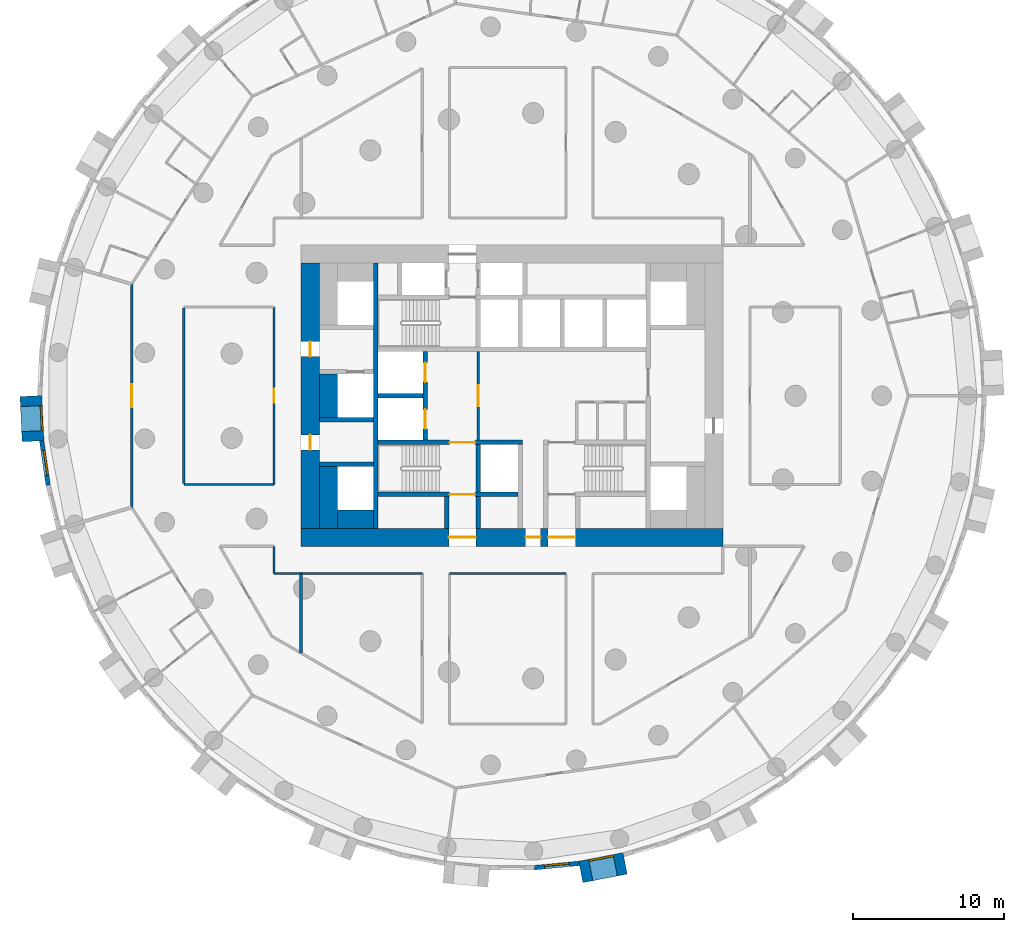
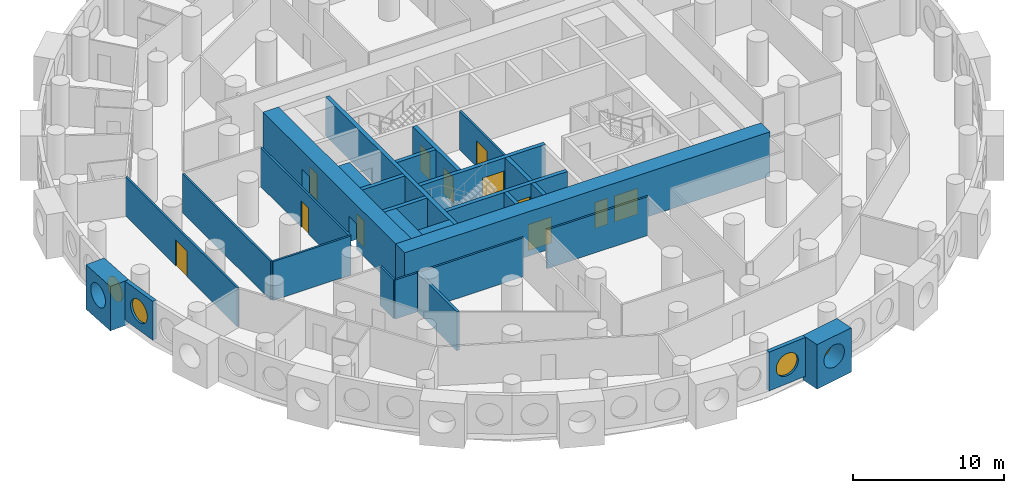
# One storey, part 4 of 12: 28 walls, 12 doors, 4 windows, 16 openings.
"""IFC4 building model written with IfcOpenShell, lengths in metres."""

from ifc_helpers import new_model, si_unit, direction, frame, frame_2d, origin, origin_2d, place, context, subcontext, project, spatial, rectangle, circle, extrude, material, layer, layer_set, type_object, element, fill, save


model = new_model("IFC4")

# Units and contexts
model_context = context("Model", 3, precision=1e-05, world=origin(), true_north=direction((0.0, 1.0)))
body_context = subcontext(model_context, "Body", "Model", "MODEL_VIEW")
ifc_project = project(units=[si_unit("LENGTHUNIT", "METRE"), si_unit("AREAUNIT", "SQUARE_METRE"), si_unit("VOLUMEUNIT", "CUBIC_METRE"), si_unit("PLANEANGLEUNIT", "RADIAN"), si_unit("MASSUNIT", "GRAM", prefix="KILO")], contexts=[model_context])

# Site, building, storey
site_placement = place(None, origin())
site = spatial("IfcSite", under=ifc_project, at=site_placement, CompositionType="ELEMENT")
building_placement = place(site_placement, origin())
building = spatial("IfcBuilding", under=site, at=building_placement, Name="Tracery Tower", CompositionType="ELEMENT")
storey_placement = place(building_placement, frame((0.0, 0.0, 85.800048828125)))
storey = spatial("IfcBuildingStorey", under=building, at=storey_placement, Name="L21", CompositionType="ELEMENT", Elevation=85.800048828125)

# Wall, opening, door
ifc_material_1 = material(Name="Plasterboard on steel studs", Category="steel")
ifc_layer_1 = layer(ifc_material_1, 0.14990234375)
ifc_layer_set_1 = layer_set([ifc_layer_1], Name="Core lobby partition 150")
wall_type_1 = type_object("IfcWallType", Name="Core lobby partition 150", PredefinedType="SOLIDWALL", material=ifc_layer_set_1)
wall_1_placement = place(storey_placement, frame((-2.25, -2.949951171875, 0.0), z_axis=(0.0, 0.0, 1.0), x_axis=(0.0, 1.0, 0.0)))
wall_1 = element("IfcWall", 1, at=wall_1_placement, inside=storey, type_object=wall_type_1, Name="L21 FF lobby E", PredefinedType="SOLIDWALL", context=body_context, shape_type="SweptSolid", body=[
    extrude(rectangle(XDim=5.89990234375, YDim=0.14990234375, at=frame_2d((2.949951171875, 0.0))), origin(), (0.0, 0.0, 1.0), 3.14990234375),
])
opening_1_placement = place(wall_1_placement, frame((2.25, 0.0, 0.0)))
opening_1 = element("IfcOpeningElement", 2, at=opening_1_placement, cuts=wall_1, Name="Opening KD8", PredefinedType="OPENING", context=body_context, shape_type="SweptSolid", body=[
    extrude(rectangle(XDim=1.39990234375, YDim=2.10009765625, at=frame_2d((0.699951171875, 1.050048828125))), frame((0.0, 0.074951171875, 0.0), z_axis=(0.0, -1.0, 0.0), x_axis=(1.0, 0.0, 0.0)), (0.0, 0.0, 1.0), 0.14990234375),
])
ifc_material_2 = material(Name="Steel fire door", Category="steel")
door_type_1 = type_object("IfcDoorType", Name="Core lobby door 1400 double", OperationType="NOTDEFINED", PredefinedType="DOOR", material=ifc_material_2)
door_1_placement = place(opening_1_placement, origin())
door_1 = element("IfcDoor", 3, at=door_1_placement, inside=storey, type_object=door_type_1, Name="Fire-fighting lobby door", OperationType="DOUBLE_DOOR_SINGLE_SWING", OverallHeight=2.10009765625, OverallWidth=1.39990234375, PredefinedType="DOOR", context=body_context, shape_type="SweptSolid", body=[
    extrude(rectangle(XDim=1.39990234375, YDim=2.10009765625, at=frame_2d((0.699951171875, 1.050048828125))), frame((0.0, 0.02490234375, 0.0), z_axis=(0.0, -1.0, 0.0), x_axis=(1.0, 0.0, 0.0)), (0.0, 0.0, 1.0), 0.050048828125),
])
fill(opening_1, door_1)

# Walls
ifc_material_3 = material(Name="Concrete C60/75", Category="concrete")
ifc_layer_2 = layer(ifc_material_3, 1.199951171875)
ifc_layer_set_2 = layer_set([ifc_layer_2], Name="Core strip wall 1200 C60")
wall_type_2 = type_object("IfcWallType", Name="Core strip wall 1200 C60", PredefinedType="SOLIDWALL", material=ifc_layer_set_2)
wall_2_placement = place(storey_placement, frame((-12.199951171875, -8.800048828125, 0.0), z_axis=(0.0, 0.0, 1.0), x_axis=(0.0, 1.0, 0.0)))
element("IfcWall", 4, at=wall_2_placement, inside=storey, type_object=wall_type_2, Name="L21 wing strip -1 -9.4", PredefinedType="SOLIDWALL", context=body_context, shape_type="SweptSolid", body=[
    extrude(rectangle(XDim=4.10009765625, YDim=1.199951171875, at=frame_2d((2.050048828125, 0.0))), origin(), (0.0, 0.0, 1.0), 3.14990234375),
])
wall_3_placement = place(storey_placement, frame((-12.199951171875, -1.449951171875, 0.0), z_axis=(0.0, 0.0, 1.0), x_axis=(0.0, 1.0, 0.0)))
element("IfcWall", 5, at=wall_3_placement, inside=storey, type_object=wall_type_2, Name="L21 wing strip -1 -1.6", PredefinedType="SOLIDWALL", context=body_context, shape_type="SweptSolid", body=[
    extrude(rectangle(XDim=2.89990234375, YDim=1.199951171875, at=frame_2d((1.449951171875, 0.0))), origin(), (0.0, 0.0, 1.0), 3.14990234375),
])
wall_4_placement = place(storey_placement, frame((-11.60009765625, -8.199951171875, 0.0), z_axis=(0.0, 0.0, 1.0), x_axis=(1.0, 0.0, 0.0)))
element("IfcWall", 6, at=wall_4_placement, inside=storey, type_object=wall_type_2, Name="L21 wing corner -1 -8.2", PredefinedType="SOLIDWALL", context=body_context, shape_type="SweptSolid", body=[
    extrude(rectangle(XDim=2.400146484375, YDim=1.199951171875, at=frame_2d((1.2001953125, 0.0))), origin(), (0.0, 0.0, 1.0), 3.14990234375),
])

# Wall, openings, doors
ifc_material_4 = material(Name="Concrete C60/75", Category="concrete")
ifc_layer_3 = layer(ifc_material_4, 1.199951171875)
ifc_layer_set_3 = layer_set([ifc_layer_3], Name="Core wall 1200 C60")
wall_type_3 = type_object("IfcWallType", Name="Core wall 1200 C60", PredefinedType="SOLIDWALL", material=ifc_layer_set_3)
wall_5_placement = place(storey_placement, frame((-14.0, -9.39990234375, 0.0), z_axis=(0.0, 0.0, 1.0), x_axis=(1.0, 0.0, 0.0)))
wall_5 = element("IfcWall", 7, at=wall_5_placement, inside=storey, type_object=wall_type_3, Name="L21 outer S", PredefinedType="SOLIDWALL", context=body_context, shape_type="SweptSolid", body=[
    extrude(rectangle(XDim=28.0, YDim=1.199951171875, at=frame_2d((14.0, 0.0))), origin(), (0.0, 0.0, 1.0), 3.599853515625),
])
opening_2_placement = place(wall_5_placement, frame((14.89990234375, 0.0, 0.0)))
opening_2 = element("IfcOpeningElement", 8, at=opening_2_placement, cuts=wall_5, Name="Opening KD16", PredefinedType="OPENING", context=body_context, shape_type="SweptSolid", body=[
    extrude(rectangle(XDim=1.0, YDim=2.10009765625, at=frame_2d((0.5, 1.050048828125))), frame((0.0, 0.60009765625, 0.0), z_axis=(0.0, -1.0, 0.0), x_axis=(1.0, 0.0, 0.0)), (0.0, 0.0, 1.0), 1.199951171875),
])
opening_3_placement = place(wall_5_placement, frame((9.800048828125, 0.0, 0.0)))
opening_3 = element("IfcOpeningElement", 9, at=opening_3_placement, cuts=wall_5, Name="Opening KD13", PredefinedType="OPENING", context=body_context, shape_type="SweptSolid", body=[
    extrude(rectangle(XDim=1.800048828125, YDim=2.10009765625, at=frame_2d((0.89990234375, 1.050048828125))), frame((0.0, 0.60009765625, 0.0), z_axis=(0.0, -1.0, 0.0), x_axis=(1.0, 0.0, 0.0)), (0.0, 0.0, 1.0), 1.199951171875),
])
opening_4_placement = place(wall_5_placement, frame((16.39990234375, 0.0, 0.0)))
opening_4 = element("IfcOpeningElement", 10, at=opening_4_placement, cuts=wall_5, Name="Opening KD13", PredefinedType="OPENING", context=body_context, shape_type="SweptSolid", body=[
    extrude(rectangle(XDim=1.800048828125, YDim=2.10009765625, at=frame_2d((0.89990234375, 1.050048828125))), frame((0.0, 0.60009765625, 0.0), z_axis=(0.0, -1.0, 0.0), x_axis=(1.0, 0.0, 0.0)), (0.0, 0.0, 1.0), 1.199951171875),
])
ifc_material_5 = material(Name="Steel fire door", Category="steel")
door_type_2 = type_object("IfcDoorType", Name="Core exit door 1000", OperationType="NOTDEFINED", PredefinedType="DOOR", material=ifc_material_5)
door_2_placement = place(opening_2_placement, origin())
door_2 = element("IfcDoor", 11, at=door_2_placement, inside=storey, type_object=door_type_2, Name="Core exit door", OperationType="SINGLE_SWING_LEFT", OverallHeight=2.10009765625, OverallWidth=1.0, PredefinedType="DOOR", context=body_context, shape_type="SweptSolid", body=[
    extrude(rectangle(XDim=1.0, YDim=2.10009765625, at=frame_2d((0.5, 1.050048828125))), frame((0.0, 0.02490234375, 0.0), z_axis=(0.0, -1.0, 0.0), x_axis=(1.0, 0.0, 0.0)), (0.0, 0.0, 1.0), 0.050048828125),
])
fill(opening_2, door_2)
ifc_material_6 = material(Name="Steel fire door", Category="steel")
door_type_3 = type_object("IfcDoorType", Name="Core exit door 1800 double", OperationType="NOTDEFINED", PredefinedType="DOOR", material=ifc_material_6)
door_3_placement = place(opening_3_placement, origin())
door_3 = element("IfcDoor", 12, at=door_3_placement, inside=storey, type_object=door_type_3, Name="Core exit door", OperationType="DOUBLE_DOOR_SINGLE_SWING", OverallHeight=2.10009765625, OverallWidth=1.800048828125, PredefinedType="DOOR", context=body_context, shape_type="SweptSolid", body=[
    extrude(rectangle(XDim=1.800048828125, YDim=2.10009765625, at=frame_2d((0.89990234375, 1.050048828125))), frame((0.0, 0.02490234375, 0.0), z_axis=(0.0, -1.0, 0.0), x_axis=(1.0, 0.0, 0.0)), (0.0, 0.0, 1.0), 0.050048828125),
])
fill(opening_3, door_3)
door_4_placement = place(opening_4_placement, origin())
door_4 = element("IfcDoor", 13, at=door_4_placement, inside=storey, type_object=door_type_3, Name="Core exit door", OperationType="DOUBLE_DOOR_SINGLE_SWING", OverallHeight=2.10009765625, OverallWidth=1.800048828125, PredefinedType="DOOR", context=body_context, shape_type="SweptSolid", body=[
    extrude(rectangle(XDim=1.800048828125, YDim=2.10009765625, at=frame_2d((0.89990234375, 1.050048828125))), frame((0.0, 0.02490234375, 0.0), z_axis=(0.0, -1.0, 0.0), x_axis=(1.0, 0.0, 0.0)), (0.0, 0.0, 1.0), 0.050048828125),
])
fill(opening_4, door_4)

wall_6_placement = place(storey_placement, frame((-13.39990234375, -8.800048828125, 0.0), z_axis=(0.0, 0.0, 1.0), x_axis=(0.0, 1.0, 0.0)))
wall_6 = element("IfcWall", 14, at=wall_6_placement, inside=storey, type_object=wall_type_3, Name="L21 outer W", PredefinedType="SOLIDWALL", context=body_context, shape_type="SweptSolid", body=[
    extrude(rectangle(XDim=17.60009765625, YDim=1.199951171875, at=frame_2d((8.800048828125, 0.0))), origin(), (0.0, 0.0, 1.0), 3.599853515625),
])
opening_5_placement = place(wall_6_placement, frame((5.199951171875, 0.0, 0.0)))
opening_5 = element("IfcOpeningElement", 15, at=opening_5_placement, cuts=wall_6, Name="Opening KD18", PredefinedType="OPENING", context=body_context, shape_type="SweptSolid", body=[
    extrude(rectangle(XDim=1.0, YDim=2.10009765625, at=frame_2d((0.5, 1.050048828125))), frame((0.0, 0.60009765625, 0.0), z_axis=(0.0, -1.0, 0.0), x_axis=(1.0, 0.0, 0.0)), (0.0, 0.0, 1.0), 1.199951171875),
])
opening_6_placement = place(wall_6_placement, frame((11.39990234375, 0.0, 0.0)))
opening_6 = element("IfcOpeningElement", 16, at=opening_6_placement, cuts=wall_6, Name="Opening KD18", PredefinedType="OPENING", context=body_context, shape_type="SweptSolid", body=[
    extrude(rectangle(XDim=1.0, YDim=2.10009765625, at=frame_2d((0.5, 1.050048828125))), frame((0.0, 0.60009765625, 0.0), z_axis=(0.0, -1.0, 0.0), x_axis=(1.0, 0.0, 0.0)), (0.0, 0.0, 1.0), 1.199951171875),
])
door_5_placement = place(opening_5_placement, origin())
door_5 = element("IfcDoor", 17, at=door_5_placement, inside=storey, type_object=door_type_2, Name="Core exit door", OperationType="DOUBLE_DOOR_SINGLE_SWING", OverallHeight=2.10009765625, OverallWidth=1.0, PredefinedType="DOOR", context=body_context, shape_type="SweptSolid", body=[
    extrude(rectangle(XDim=1.0, YDim=2.10009765625, at=frame_2d((0.5, 1.050048828125))), frame((0.0, 0.02490234375, 0.0), z_axis=(0.0, -1.0, 0.0), x_axis=(1.0, 0.0, 0.0)), (0.0, 0.0, 1.0), 0.050048828125),
])
fill(opening_5, door_5)
door_6_placement = place(opening_6_placement, origin())
door_6 = element("IfcDoor", 18, at=door_6_placement, inside=storey, type_object=door_type_2, Name="Core exit door", OperationType="DOUBLE_DOOR_SINGLE_SWING", OverallHeight=2.10009765625, OverallWidth=1.0, PredefinedType="DOOR", context=body_context, shape_type="SweptSolid", body=[
    extrude(rectangle(XDim=1.0, YDim=2.10009765625, at=frame_2d((0.5, 1.050048828125))), frame((0.0, 0.02490234375, 0.0), z_axis=(0.0, -1.0, 0.0), x_axis=(1.0, 0.0, 0.0)), (0.0, 0.0, 1.0), 0.050048828125),
])
fill(opening_6, door_6)

# Wall, opening, window
ifc_material_7 = material(Name="Precast concrete C50/60", Category="concrete")
ifc_layer_4 = layer(ifc_material_7, 1.449951171875)
ifc_layer_set_4 = layer_set([ifc_layer_4], Name="Deep-set bay unit 3000 x 3600, slab edge 450")
wall_type_4 = type_object("IfcWallType", Name="Deep-set bay unit 3000 x 3600, slab edge 450", PredefinedType="ELEMENTEDWALL", material=ifc_layer_set_4)
wall_7_placement = place(storey_placement, frame((-31.94921875, -0.020263671875, -0.449951171875), z_axis=(0.0, 0.0, 1.0), x_axis=(0.047607680889, -0.998866111509, 0.0)))
wall_7 = element("IfcWall", 19, at=wall_7_placement, inside=storey, type_object=wall_type_4, Name="Deep-set bay unit 34 at L21", PredefinedType="ELEMENTEDWALL", context=body_context, shape_type="SweptSolid", body=[
    extrude(rectangle(XDim=3.0, YDim=1.449951171875, at=frame_2d((1.5, 0.0))), origin(), (0.0, 0.0, 1.0), 3.599853515625),
])
opening_7_placement = place(wall_7_placement, frame((1.5, 0.0, 2.0)))
opening_7 = element("IfcOpeningElement", 20, at=opening_7_placement, cuts=wall_7, Name="Opening WN1", PredefinedType="OPENING", context=body_context, shape_type="SweptSolid", body=[
    extrude(circle(Radius=0.9000244140625, at=origin_2d()), frame((0.0, 0.73486328125, 0.0), z_axis=(0.0, -1.0, 0.0), x_axis=(1.0, 0.0, 0.0)), (0.0, 0.0, 1.0), 1.469970703125),
])
ifc_material_8 = material(Name="Aluminium frame with tinted double glazing", Category="aluminium")
window_type = type_object("IfcWindowType", Name="Round window 1800", PartitioningType="SINGLE_PANEL", PredefinedType="WINDOW", material=ifc_material_8)
window_1_placement = place(opening_7_placement, origin())
window_1 = element("IfcWindow", 21, at=window_1_placement, inside=storey, type_object=window_type, Name="Round window 34 at L21", OverallHeight=1.800048828125, OverallWidth=1.800048828125, PartitioningType="SINGLE_PANEL", PredefinedType="WINDOW", context=body_context, shape_type="SweptSolid", body=[
    extrude(circle(Radius=0.9000244140625, at=origin_2d()), frame((0.0, 0.69482421875, 0.0), z_axis=(0.0, -1.0, 0.0), x_axis=(1.0, 0.0, 0.0)), (0.0, 0.0, 1.0), 0.10009765625),
])
fill(opening_7, window_1)

wall_8_placement = place(storey_placement, frame((4.56689453125, -31.62109375, -0.449951171875), z_axis=(0.0, 0.0, 1.0), x_axis=(0.981921602273, 0.189288052949, 0.0)))
wall_8 = element("IfcWall", 22, at=wall_8_placement, inside=storey, type_object=wall_type_4, Name="Deep-set bay unit 52 at L21", PredefinedType="ELEMENTEDWALL", context=body_context, shape_type="SweptSolid", body=[
    extrude(rectangle(XDim=3.0, YDim=1.449951171875, at=frame_2d((1.5, 0.0))), origin(), (0.0, 0.0, 1.0), 3.599853515625),
])
opening_8_placement = place(wall_8_placement, frame((1.5, 0.0, 2.0)))
opening_8 = element("IfcOpeningElement", 23, at=opening_8_placement, cuts=wall_8, Name="Opening WN1", PredefinedType="OPENING", context=body_context, shape_type="SweptSolid", body=[
    extrude(circle(Radius=0.9000244140625, at=origin_2d()), frame((0.0, 0.73486328125, 0.0), z_axis=(0.0, -1.0, 0.0), x_axis=(1.0, 0.0, 0.0)), (0.0, 0.0, 1.0), 1.469970703125),
])
window_2_placement = place(opening_8_placement, origin())
window_2 = element("IfcWindow", 24, at=window_2_placement, inside=storey, type_object=window_type, Name="Round window 52 at L21", OverallHeight=1.800048828125, OverallWidth=1.800048828125, PartitioningType="SINGLE_PANEL", PredefinedType="WINDOW", context=body_context, shape_type="SweptSolid", body=[
    extrude(circle(Radius=0.9000244140625, at=origin_2d()), frame((0.0, 0.69482421875, 0.0), z_axis=(0.0, -1.0, 0.0), x_axis=(1.0, 0.0, 0.0)), (0.0, 0.0, 1.0), 0.10009765625),
])
fill(opening_8, window_2)

ifc_material_9 = material(Name="Precast concrete C50/60", Category="concrete")
ifc_layer_5 = layer(ifc_material_9, 0.300048828125)
ifc_layer_set_5 = layer_set([ifc_layer_5], Name="Facade panel 3000 x 3150")
wall_type_5 = type_object("IfcWallType", Name="Facade panel 3000 x 3150", PredefinedType="SOLIDWALL", material=ifc_layer_set_5)
wall_9_placement = place(storey_placement, frame((-31.2314453125, -2.98828125, 0.0), z_axis=(0.0, 0.0, 1.0), x_axis=(0.142315996627, -0.989821275334, 0.0)))
wall_9 = element("IfcWall", 25, at=wall_9_placement, inside=storey, type_object=wall_type_5, Name="Facade panel 35 at L21", PredefinedType="SOLIDWALL", context=body_context, shape_type="SweptSolid", body=[
    extrude(rectangle(XDim=2.979736328125, YDim=0.300048828125, at=frame_2d((1.48974609375, 0.0))), origin(), (0.0, 0.0, 1.0), 3.14990234375),
])
opening_9_placement = place(wall_9_placement, frame((1.48974609375, 0.0, 1.5498046875)))
opening_9 = element("IfcOpeningElement", 26, at=opening_9_placement, cuts=wall_9, Name="Opening WN1", PredefinedType="OPENING", context=body_context, shape_type="SweptSolid", body=[
    extrude(circle(Radius=0.9000244140625, at=origin_2d()), frame((0.0, 0.159912109375, 0.0), z_axis=(0.0, -1.0, 0.0), x_axis=(1.0, 0.0, 0.0)), (0.0, 0.0, 1.0), 0.320068359375),
])
window_3_placement = place(opening_9_placement, origin())
window_3 = element("IfcWindow", 27, at=window_3_placement, inside=storey, type_object=window_type, Name="Round window 35 at L21", OverallHeight=1.800048828125, OverallWidth=1.800048828125, PartitioningType="SINGLE_PANEL", PredefinedType="WINDOW", context=body_context, shape_type="SweptSolid", body=[
    extrude(circle(Radius=0.9000244140625, at=origin_2d()), frame((0.0, 0.1201171875, 0.0), z_axis=(0.0, -1.0, 0.0), x_axis=(1.0, 0.0, 0.0)), (0.0, 0.0, 1.0), 0.10009765625),
])
fill(opening_9, window_3)

wall_10_placement = place(storey_placement, frame((1.492919921875, -31.3388671875, 0.0), z_axis=(0.0, 0.0, 1.0), x_axis=(0.995472611385, 0.095048829468, 0.0)))
wall_10 = element("IfcWall", 28, at=wall_10_placement, inside=storey, type_object=wall_type_5, Name="Facade panel 51 at L21", PredefinedType="SOLIDWALL", context=body_context, shape_type="SweptSolid", body=[
    extrude(rectangle(XDim=2.9794921875, YDim=0.300048828125, at=frame_2d((1.48974609375, 0.0))), origin(), (0.0, 0.0, 1.0), 3.14990234375),
])
opening_10_placement = place(wall_10_placement, frame((1.48974609375, 0.0, 1.5498046875)))
opening_10 = element("IfcOpeningElement", 29, at=opening_10_placement, cuts=wall_10, Name="Opening WN1", PredefinedType="OPENING", context=body_context, shape_type="SweptSolid", body=[
    extrude(circle(Radius=0.9000244140625, at=origin_2d()), frame((0.0, 0.159912109375, 0.0), z_axis=(0.0, -1.0, 0.0), x_axis=(1.0, 0.0, 0.0)), (0.0, 0.0, 1.0), 0.320068359375),
])
window_4_placement = place(opening_10_placement, origin())
window_4 = element("IfcWindow", 30, at=window_4_placement, inside=storey, type_object=window_type, Name="Round window 51 at L21", OverallHeight=1.800048828125, OverallWidth=1.800048828125, PartitioningType="SINGLE_PANEL", PredefinedType="WINDOW", context=body_context, shape_type="SweptSolid", body=[
    extrude(circle(Radius=0.9000244140625, at=origin_2d()), frame((0.0, 0.1201171875, 0.0), z_axis=(0.0, -1.0, 0.0), x_axis=(1.0, 0.0, 0.0)), (0.0, 0.0, 1.0), 0.10009765625),
])
fill(opening_10, window_4)

# Walls
ifc_material_10 = material(Name="Plasterboard on steel studs", Category="steel")
ifc_layer_6 = layer(ifc_material_10, 0.14990234375)
ifc_layer_set_6 = layer_set([ifc_layer_6], Name="Partition 150 corridor wall")
wall_type_6 = type_object("IfcWallType", Name="Partition 150 corridor wall", PredefinedType="PARTITIONING", material=ifc_layer_set_6)
wall_11_placement = place(storey_placement, frame((-15.800048828125, -11.800048828125, 0.0), z_axis=(0.0, 0.0, 1.0), x_axis=(1.0, 0.0, 0.0)))
element("IfcWall", 31, at=wall_11_placement, inside=storey, type_object=wall_type_6, Name="Corridor wall RA6-006", PredefinedType="PARTITIONING", context=body_context, shape_type="SweptSolid", body=[
    extrude(rectangle(XDim=9.843994140625, YDim=0.14990234375, at=frame_2d((4.921875, 0.0))), origin(), (0.0, 0.0, 1.0), 3.14990234375),
])
wall_12_placement = place(storey_placement, frame((-4.1640625, -11.800048828125, 0.0), z_axis=(0.0, 0.0, 1.0), x_axis=(1.0, 0.0, 0.0)))
element("IfcWall", 32, at=wall_12_placement, inside=storey, type_object=wall_type_6, Name="Corridor wall RA6-007", PredefinedType="PARTITIONING", context=body_context, shape_type="SweptSolid", body=[
    extrude(rectangle(XDim=7.744140625, YDim=0.14990234375, at=frame_2d((3.8720703125, 0.0))), origin(), (0.0, 0.0, 1.0), 3.14990234375),
])
wall_13_placement = place(storey_placement, frame((-15.800048828125, -11.800048828125, 0.0), z_axis=(0.0, 0.0, 1.0), x_axis=(0.0, 1.0, 0.0)))
element("IfcWall", 33, at=wall_13_placement, inside=storey, type_object=wall_type_6, Name="Corridor wall RA6-010", PredefinedType="PARTITIONING", context=body_context, shape_type="SweptSolid", body=[
    extrude(rectangle(XDim=1.800048828125, YDim=0.14990234375, at=frame_2d((0.89990234375, 0.0))), origin(), (0.0, 0.0, 1.0), 3.14990234375),
])

# Wall, opening, door
wall_14_placement = place(storey_placement, frame((-15.800048828125, -5.904052734375, 0.0), z_axis=(0.0, 0.0, 1.0), x_axis=(0.0, 1.0, 0.0)))
wall_14 = element("IfcWall", 34, at=wall_14_placement, inside=storey, type_object=wall_type_6, Name="Corridor wall RA6-014", PredefinedType="PARTITIONING", context=body_context, shape_type="SweptSolid", body=[
    extrude(rectangle(XDim=11.80810546875, YDim=0.14990234375, at=frame_2d((5.904052734375, 0.0))), origin(), (0.0, 0.0, 1.0), 3.14990234375),
])
opening_11_placement = place(wall_14_placement, frame((5.428955078125, 0.0, 0.0)))
opening_11 = element("IfcOpeningElement", 35, at=opening_11_placement, cuts=wall_14, Name="Opening RA6-08", PredefinedType="OPENING", context=body_context, shape_type="SweptSolid", body=[
    extrude(rectangle(XDim=0.949951171875, YDim=2.10009765625, at=frame_2d((0.47509765625, 1.050048828125))), frame((0.0, 0.074951171875, 0.0), z_axis=(0.0, -1.0, 0.0), x_axis=(1.0, 0.0, 0.0)), (0.0, 0.0, 1.0), 0.14990234375),
])
ifc_material_11 = material(Name="Timber door leaf", Category="wood")
door_type_4 = type_object("IfcDoorType", Name="Door store 950", OperationType="NOTDEFINED", PredefinedType="DOOR", material=ifc_material_11)
door_7_placement = place(opening_11_placement, origin())
door_7 = element("IfcDoor", 36, at=door_7_placement, inside=storey, type_object=door_type_4, Name="Store door RA6-08", OperationType="SINGLE_SWING_RIGHT", OverallHeight=2.10009765625, OverallWidth=0.949951171875, PredefinedType="DOOR", context=body_context, shape_type="SweptSolid", body=[
    extrude(rectangle(XDim=0.949951171875, YDim=2.10009765625, at=frame_2d((0.47509765625, 1.050048828125))), frame((0.0, 0.02490234375, 0.0), z_axis=(0.0, -1.0, 0.0), x_axis=(1.0, 0.0, 0.0)), (0.0, 0.0, 1.0), 0.050048828125),
])
fill(opening_11, door_7)

# Walls
wall_15_placement = place(storey_placement, frame((-21.802001953125, -5.842041015625, 0.0), z_axis=(0.0, 0.0, 1.0), x_axis=(0.0, 1.0, 0.0)))
element("IfcWall", 37, at=wall_15_placement, inside=storey, type_object=wall_type_6, Name="Corridor wall RA6-036", PredefinedType="PARTITIONING", context=body_context, shape_type="SweptSolid", body=[
    extrude(rectangle(XDim=11.68408203125, YDim=0.14990234375, at=frame_2d((5.842041015625, 0.0))), origin(), (0.0, 0.0, 1.0), 3.14990234375),
])
wall_16_placement = place(storey_placement, frame((-21.76806640625, -5.89990234375, 0.0), z_axis=(0.0, 0.0, 1.0), x_axis=(1.0, 0.0, 0.0)))
element("IfcWall", 38, at=wall_16_placement, inside=storey, type_object=wall_type_6, Name="Corridor wall RA6-037", PredefinedType="PARTITIONING", context=body_context, shape_type="SweptSolid", body=[
    extrude(rectangle(XDim=5.968017578125, YDim=0.14990234375, at=frame_2d((2.98388671875, 0.0))), origin(), (0.0, 0.0, 1.0), 3.14990234375),
])

# Wall, opening, door
wall_17_placement = place(storey_placement, frame((-25.2529296875, -7.4150390625, 0.0), z_axis=(0.0, 0.0, 1.0), x_axis=(0.0, 1.0, 0.0)))
wall_17 = element("IfcWall", 39, at=wall_17_placement, inside=storey, type_object=wall_type_6, Name="Corridor wall RA6-042", PredefinedType="PARTITIONING", context=body_context, shape_type="SweptSolid", body=[
    extrude(rectangle(XDim=14.830078125, YDim=0.14990234375, at=frame_2d((7.4150390625, 0.0))), origin(), (0.0, 0.0, 1.0), 3.14990234375),
])
opening_12_placement = place(wall_17_placement, frame((6.6650390625, 0.0, 0.0)))
opening_12 = element("IfcOpeningElement", 40, at=opening_12_placement, cuts=wall_17, Name="Opening RA6-35", PredefinedType="OPENING", context=body_context, shape_type="SweptSolid", body=[
    extrude(rectangle(XDim=1.5, YDim=2.10009765625, at=frame_2d((0.75, 1.050048828125))), frame((0.0, 0.074951171875, 0.0), z_axis=(0.0, -1.0, 0.0), x_axis=(1.0, 0.0, 0.0)), (0.0, 0.0, 1.0), 0.14990234375),
])
ifc_material_12 = material(Name="Timber door leaf", Category="wood")
door_type_5 = type_object("IfcDoorType", Name="Door double kitchen 1500", OperationType="NOTDEFINED", PredefinedType="DOOR", material=ifc_material_12)
door_8_placement = place(opening_12_placement, origin())
door_8 = element("IfcDoor", 41, at=door_8_placement, inside=storey, type_object=door_type_5, Name="Double kitchen door RA6-35", OperationType="DOUBLE_DOOR_SINGLE_SWING", OverallHeight=2.10009765625, OverallWidth=1.5, PredefinedType="DOOR", context=body_context, shape_type="SweptSolid", body=[
    extrude(rectangle(XDim=1.5, YDim=2.10009765625, at=frame_2d((0.75, 1.050048828125))), frame((0.0, 0.02490234375, 0.0), z_axis=(0.0, -1.0, 0.0), x_axis=(1.0, 0.0, 0.0)), (0.0, 0.0, 1.0), 0.050048828125),
])
fill(opening_12, door_8)

# Walls
ifc_material_13 = material(Name="Plasterboard on steel studs", Category="steel")
ifc_layer_7 = layer(ifc_material_13, 0.199951171875)
ifc_layer_set_7 = layer_set([ifc_layer_7], Name="Partition 200 compartment wall")
wall_type_7 = type_object("IfcWallType", Name="Partition 200 compartment wall", PredefinedType="PARTITIONING", material=ifc_layer_set_7)
wall_18_placement = place(storey_placement, frame((-14.0, -17.092041015625, 0.0), z_axis=(0.0, 0.0, 1.0), x_axis=(0.0, 1.0, 0.0)))
element("IfcWall", 42, at=wall_18_placement, inside=storey, type_object=wall_type_7, Name="Compartment wall RA6-056", PredefinedType="PARTITIONING", context=body_context, shape_type="SweptSolid", body=[
    extrude(rectangle(XDim=5.2919921875, YDim=0.199951171875, at=frame_2d((2.64599609375, 0.0))), origin(), (0.0, 0.0, 1.0), 3.14990234375),
])
ifc_material_14 = material(Name="Concrete C60/75", Category="concrete")
ifc_layer_8 = layer(ifc_material_14, 0.300048828125)
ifc_layer_set_8 = layer_set([ifc_layer_8], Name="Shaft wall 300 C60")
wall_type_8 = type_object("IfcWallType", Name="Shaft wall 300 C60", PredefinedType="SOLIDWALL", material=ifc_layer_set_8)
wall_19_placement = place(storey_placement, frame((-8.89990234375, 0.0, 0.0), z_axis=(0.0, 0.0, 1.0), x_axis=(1.0, 0.0, 0.0)))
element("IfcWall", 43, at=wall_19_placement, inside=storey, type_object=wall_type_8, Name="L21 FF split", PredefinedType="SOLIDWALL", context=body_context, shape_type="SweptSolid", body=[
    extrude(rectangle(XDim=3.0, YDim=0.300048828125, at=frame_2d((1.5, 0.0))), origin(), (0.0, 0.0, 1.0), 3.14990234375),
])

# Wall, openings, doors
wall_20_placement = place(storey_placement, frame((-5.75, -2.949951171875, 0.0), z_axis=(0.0, 0.0, 1.0), x_axis=(0.0, 1.0, 0.0)))
wall_20 = element("IfcWall", 44, at=wall_20_placement, inside=storey, type_object=wall_type_8, Name="L21 FF doors", PredefinedType="SOLIDWALL", context=body_context, shape_type="SweptSolid", body=[
    extrude(rectangle(XDim=5.89990234375, YDim=0.300048828125, at=frame_2d((2.949951171875, 0.0))), origin(), (0.0, 0.0, 1.0), 3.14990234375),
])
opening_13_placement = place(wall_20_placement, frame((0.75, 0.0, 0.0)))
opening_13 = element("IfcOpeningElement", 45, at=opening_13_placement, cuts=wall_20, Name="Opening KD54", PredefinedType="OPENING", context=body_context, shape_type="SweptSolid", body=[
    extrude(rectangle(XDim=1.300048828125, YDim=2.10009765625, at=frame_2d((0.64990234375, 1.050048828125))), frame((0.0, 0.14990234375, 0.0), z_axis=(0.0, -1.0, 0.0), x_axis=(1.0, 0.0, 0.0)), (0.0, 0.0, 1.0), 0.300048828125),
])
opening_14_placement = place(wall_20_placement, frame((3.85009765625, 0.0, 0.0)))
opening_14 = element("IfcOpeningElement", 46, at=opening_14_placement, cuts=wall_20, Name="Opening KD55", PredefinedType="OPENING", context=body_context, shape_type="SweptSolid", body=[
    extrude(rectangle(XDim=1.300048828125, YDim=2.10009765625, at=frame_2d((0.64990234375, 1.050048828125))), frame((0.0, 0.14990234375, 0.0), z_axis=(0.0, -1.0, 0.0), x_axis=(1.0, 0.0, 0.0)), (0.0, 0.0, 1.0), 0.300048828125),
])
ifc_material_15 = material(Name="Steel fire door", Category="steel")
door_type_6 = type_object("IfcDoorType", Name="Landing door FF 1300", OperationType="NOTDEFINED", PredefinedType="DOOR", material=ifc_material_15)
door_9_placement = place(opening_13_placement, origin())
door_9 = element("IfcDoor", 47, at=door_9_placement, inside=storey, type_object=door_type_6, Name="Landing door FF1", OperationType="SLIDING_TO_LEFT", OverallHeight=2.10009765625, OverallWidth=1.300048828125, PredefinedType="DOOR", context=body_context, shape_type="SweptSolid", body=[
    extrude(rectangle(XDim=1.300048828125, YDim=2.10009765625, at=frame_2d((0.64990234375, 1.050048828125))), frame((0.0, 0.02490234375, 0.0), z_axis=(0.0, -1.0, 0.0), x_axis=(1.0, 0.0, 0.0)), (0.0, 0.0, 1.0), 0.050048828125),
])
fill(opening_13, door_9)
door_10_placement = place(opening_14_placement, origin())
door_10 = element("IfcDoor", 48, at=door_10_placement, inside=storey, type_object=door_type_6, Name="Landing door FF2", OperationType="SLIDING_TO_RIGHT", OverallHeight=2.10009765625, OverallWidth=1.300048828125, PredefinedType="DOOR", context=body_context, shape_type="SweptSolid", body=[
    extrude(rectangle(XDim=1.300048828125, YDim=2.10009765625, at=frame_2d((0.64990234375, 1.050048828125))), frame((0.0, 0.02490234375, 0.0), z_axis=(0.0, -1.0, 0.0), x_axis=(1.0, 0.0, 0.0)), (0.0, 0.0, 1.0), 0.050048828125),
])
fill(opening_14, door_10)

# Walls
wall_21_placement = place(storey_placement, frame((-4.35009765625, -8.800048828125, 0.0), z_axis=(0.0, 0.0, 1.0), x_axis=(0.0, 1.0, 0.0)))
element("IfcWall", 49, at=wall_21_placement, inside=storey, type_object=wall_type_8, Name="L21 band S -4.35", PredefinedType="SOLIDWALL", context=body_context, shape_type="SweptSolid", body=[
    extrude(rectangle(XDim=2.10009765625, YDim=0.300048828125, at=frame_2d((1.050048828125, 0.0))), origin(), (0.0, 0.0, 1.0), 3.14990234375),
])
for number, where, z_axis, x_axis, name in (
    (50, (-12.800048828125, -4.550048828125, 0.0), (0.0, 0.0, 1.0), (1.0, 0.0, 0.0), "L21 wing shaft wall -1 -4.55"),
    (51, (-12.800048828125, -1.60009765625, 0.0), (0.0, 0.0, 1.0), (1.0, 0.0, 0.0), "L21 wing shaft wall -1 -1.60"),
):
    element("IfcWall", number, at=place(storey_placement, frame(where, z_axis=z_axis, x_axis=x_axis)), inside=storey, type_object=wall_type_8, Name=name, PredefinedType="SOLIDWALL", context=body_context, shape_type="SweptSolid", body=[
        extrude(rectangle(XDim=3.60009765625, YDim=0.300048828125, at=frame_2d((1.800048828125, 0.0))), origin(), (0.0, 0.0, 1.0), 3.14990234375),
    ])

# Wall, opening, door
ifc_material_16 = material(Name="Concrete C60/75", Category="concrete")
ifc_layer_9 = layer(ifc_material_16, 0.300048828125)
ifc_layer_set_9 = layer_set([ifc_layer_9], Name="Stair wall 300 C60")
wall_type_9 = type_object("IfcWallType", Name="Stair wall 300 C60", PredefinedType="SOLIDWALL", material=ifc_layer_set_9)
wall_22_placement = place(storey_placement, frame((-8.89990234375, -3.10009765625, 0.0), z_axis=(0.0, 0.0, 1.0), x_axis=(1.0, 0.0, 0.0)))
wall_22 = element("IfcWall", 52, at=wall_22_placement, inside=storey, type_object=wall_type_9, Name="L21 row S", PredefinedType="SOLIDWALL", context=body_context, shape_type="SweptSolid", body=[
    extrude(rectangle(XDim=9.599853515625, YDim=0.300048828125, at=frame_2d((4.7998046875, 0.0))), origin(), (0.0, 0.0, 1.0), 3.14990234375),
])
opening_15_placement = place(wall_22_placement, frame((4.75, 0.0, 0.0)))
opening_15 = element("IfcOpeningElement", 53, at=opening_15_placement, cuts=wall_22, Name="Opening KD3", PredefinedType="OPENING", context=body_context, shape_type="SweptSolid", body=[
    extrude(rectangle(XDim=1.699951171875, YDim=2.10009765625, at=frame_2d((0.85009765625, 1.050048828125))), frame((0.0, 0.14990234375, 0.0), z_axis=(0.0, -1.0, 0.0), x_axis=(1.0, 0.0, 0.0)), (0.0, 0.0, 1.0), 0.300048828125),
])
ifc_material_17 = material(Name="Steel fire door", Category="steel")
door_type_7 = type_object("IfcDoorType", Name="Core stair door 1700 double", OperationType="NOTDEFINED", PredefinedType="DOOR", material=ifc_material_17)
door_11_placement = place(opening_15_placement, origin())
door_11 = element("IfcDoor", 54, at=door_11_placement, inside=storey, type_object=door_type_7, Name="Stair door ST1", OperationType="DOUBLE_DOOR_SINGLE_SWING", OverallHeight=2.10009765625, OverallWidth=1.699951171875, PredefinedType="DOOR", context=body_context, shape_type="SweptSolid", body=[
    extrude(rectangle(XDim=1.699951171875, YDim=2.10009765625, at=frame_2d((0.85009765625, 1.050048828125))), frame((0.0, 0.02490234375, 0.0), z_axis=(0.0, -1.0, 0.0), x_axis=(1.0, 0.0, 0.0)), (0.0, 0.0, 1.0), 0.050048828125),
])
fill(opening_15, door_11)

# Walls
wall_23_placement = place(storey_placement, frame((-2.25, -6.39990234375, 0.0), z_axis=(0.0, 0.0, 1.0), x_axis=(0.0, 1.0, 0.0)))
element("IfcWall", 55, at=wall_23_placement, inside=storey, type_object=wall_type_9, Name="L21 ST1 E", PredefinedType="SOLIDWALL", context=body_context, shape_type="SweptSolid", body=[
    extrude(rectangle(XDim=3.14990234375, YDim=0.300048828125, at=frame_2d((1.574951171875, 0.0))), origin(), (0.0, 0.0, 1.0), 3.14990234375),
])
wall_24_placement = place(storey_placement, frame((-9.050048828125, -8.800048828125, 0.0), z_axis=(0.0, 0.0, 1.0), x_axis=(0.0, 1.0, 0.0)))
element("IfcWall", 56, at=wall_24_placement, inside=storey, type_object=wall_type_9, Name="L21 F wall -9", PredefinedType="SOLIDWALL", context=body_context, shape_type="SweptSolid", body=[
    extrude(rectangle(XDim=17.60009765625, YDim=0.300048828125, at=frame_2d((8.800048828125, 0.0))), origin(), (0.0, 0.0, 1.0), 3.14990234375),
])

# Wall, opening, door
wall_25_placement = place(storey_placement, frame((-8.89990234375, -6.550048828125, 0.0), z_axis=(0.0, 0.0, 1.0), x_axis=(1.0, 0.0, 0.0)))
wall_25 = element("IfcWall", 57, at=wall_25_placement, inside=storey, type_object=wall_type_9, Name="L21 F S W", PredefinedType="SOLIDWALL", context=body_context, shape_type="SweptSolid", body=[
    extrude(rectangle(XDim=9.2998046875, YDim=0.300048828125, at=frame_2d((4.64990234375, 0.0))), origin(), (0.0, 0.0, 1.0), 3.14990234375),
])
opening_16_placement = place(wall_25_placement, frame((4.75, 0.0, 0.0)))
opening_16 = element("IfcOpeningElement", 58, at=opening_16_placement, cuts=wall_25, Name="Opening KD3", PredefinedType="OPENING", context=body_context, shape_type="SweptSolid", body=[
    extrude(rectangle(XDim=1.699951171875, YDim=2.10009765625, at=frame_2d((0.85009765625, 1.050048828125))), frame((0.0, 0.14990234375, 0.0), z_axis=(0.0, -1.0, 0.0), x_axis=(1.0, 0.0, 0.0)), (0.0, 0.0, 1.0), 0.300048828125),
])
door_12_placement = place(opening_16_placement, origin())
door_12 = element("IfcDoor", 59, at=door_12_placement, inside=storey, type_object=door_type_7, Name="Stair door ST1 S", OperationType="DOUBLE_DOOR_SINGLE_SWING", OverallHeight=2.10009765625, OverallWidth=1.699951171875, PredefinedType="DOOR", context=body_context, shape_type="SweptSolid", body=[
    extrude(rectangle(XDim=1.699951171875, YDim=2.10009765625, at=frame_2d((0.85009765625, 1.050048828125))), frame((0.0, 0.02490234375, 0.0), z_axis=(0.0, -1.0, 0.0), x_axis=(1.0, 0.0, 0.0)), (0.0, 0.0, 1.0), 0.050048828125),
])
fill(opening_16, door_12)

# Wall
wall_26_placement = place(storey_placement, frame((-2.25, -8.800048828125, 0.0), z_axis=(0.0, 0.0, 1.0), x_axis=(0.0, 1.0, 0.0)))
element("IfcWall", 60, at=wall_26_placement, inside=storey, type_object=wall_type_9, Name="L21 ST1 E out", PredefinedType="SOLIDWALL", context=body_context, shape_type="SweptSolid", body=[
    extrude(rectangle(XDim=2.10009765625, YDim=0.300048828125, at=frame_2d((1.050048828125, 0.0))), origin(), (0.0, 0.0, 1.0), 3.14990234375),
])

save(model, "model.ifc")
